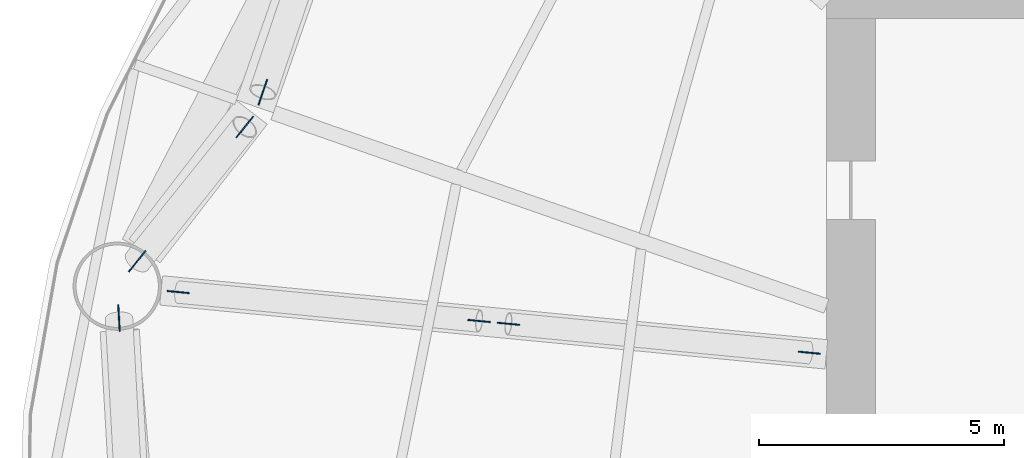
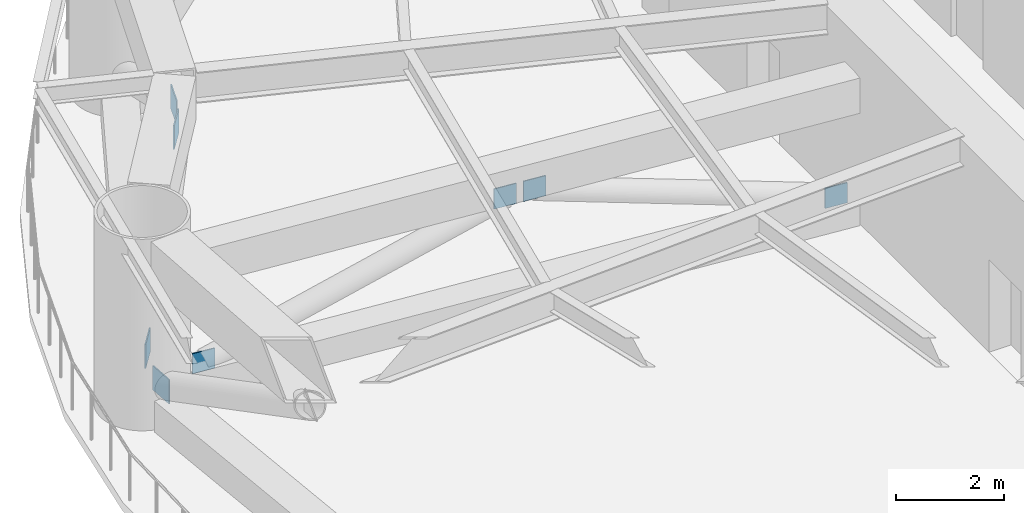
# One storey, part 9 of 15: 8 discrete accessories.
"""IFC4 building model written with IfcOpenShell, lengths in metres."""

from ifc_helpers import new_model, si_unit, direction, frame, origin, origin_2d, place, context, subcontext, project, spatial, rectangle, extrude, element, save


model = new_model("IFC4")

# Units and contexts
model_context = context("Model", 3, precision=1e-05, world=origin(), true_north=direction((0.0, 1.0)))
body_context = subcontext(model_context, "Body", "Model", "MODEL_VIEW")
ifc_project = project(units=[si_unit("LENGTHUNIT", "METRE"), si_unit("AREAUNIT", "SQUARE_METRE"), si_unit("VOLUMEUNIT", "CUBIC_METRE"), si_unit("PLANEANGLEUNIT", "RADIAN"), si_unit("MASSUNIT", "GRAM", prefix="KILO")], contexts=[model_context])

# Site, building, storey
site_placement = place(None, origin())
site = spatial("IfcSite", under=ifc_project, at=site_placement, CompositionType="ELEMENT")
building_placement = place(site_placement, origin())
building = spatial("IfcBuilding", under=site, at=building_placement, Name="Vermilion Reach Broadcast Tower", CompositionType="ELEMENT")
storey_placement = place(building_placement, frame((0.0, 0.0, 84.10009765625)))
storey = spatial("IfcBuildingStorey", under=building, at=storey_placement, Name="L18", CompositionType="ELEMENT", Elevation=84.10009765625)

# Discrete accessories
for number, where, z_axis, x_axis, name in (
    (1, (-29.494384765625, 6.500732421875, 3.06494140625), (0.0, 0.0, 1.0), (0.947384355516, -0.320098239488, 0.0), "Gusset plate BT1-D07A head"),
    (2, (-32.0576171875, 3.05078125, 0.52490234375), (0.0, 0.0, 1.0), (-0.780437642706, 0.625233625014, 0.0), "Gusset plate BT1-D07B foot"),
    (3, (-29.86279296875, 5.790771484375, 3.06494140625), (0.0, 0.0, 1.0), (-0.780437642706, 0.625233625014, 0.0), "Gusset plate BT1-D07B head"),
    (4, (-32.42822265625, 1.89453125, 0.52490234375), (0.0, 0.0, 1.0), (0.998466029998, 0.055367742783, 0.0), "Gusset plate BT1-D08A foot"),
):
    element("IfcDiscreteAccessory", number, at=place(storey_placement, frame(where, z_axis=z_axis, x_axis=x_axis)), inside=storey, Name=name, PredefinedType="NOTDEFINED", context=body_context, shape_type="SweptSolid", body=[
        extrude(rectangle(XDim=0.02490234375, YDim=0.550048828125, at=origin_2d()), origin(), (0.0, 0.0, 1.0), 0.550048828125),
    ])
for number, where, z_axis, x_axis, name in (
    (5, (-18.348388671875, 1.186767578125, 0.371337890625), (0.0, 0.0, 1.0), (-0.095672019792, -0.995412911625, 0.0), "Gusset plate OR1-08-DA foot"),
    (6, (-24.485595703125, 1.776611328125, 2.3212890625), (0.0, 0.0, 1.0), (-0.095672019792, -0.995412911625, 0.0), "Gusset plate OR1-08-DA head"),
    (7, (-31.219970703125, 2.424072265625, 0.371337890625), (0.0, 0.0, 1.0), (-0.095672019792, -0.995412911625, 0.0), "Gusset plate OR1-08-DB foot"),
    (8, (-25.082763671875, 1.833984375, 2.3212890625), (0.0, 0.0, 1.0), (-0.095672019792, -0.995412911625, 0.0), "Gusset plate OR1-08-DB head"),
):
    element("IfcDiscreteAccessory", number, at=place(storey_placement, frame(where, z_axis=z_axis, x_axis=x_axis)), inside=storey, Name=name, PredefinedType="NOTDEFINED", context=body_context, shape_type="SweptSolid", body=[
        extrude(rectangle(XDim=0.02490234375, YDim=0.45703125, at=origin_2d()), origin(), (0.0, 0.0, 1.0), 0.45703125),
    ])

save(model, "model.ifc")
